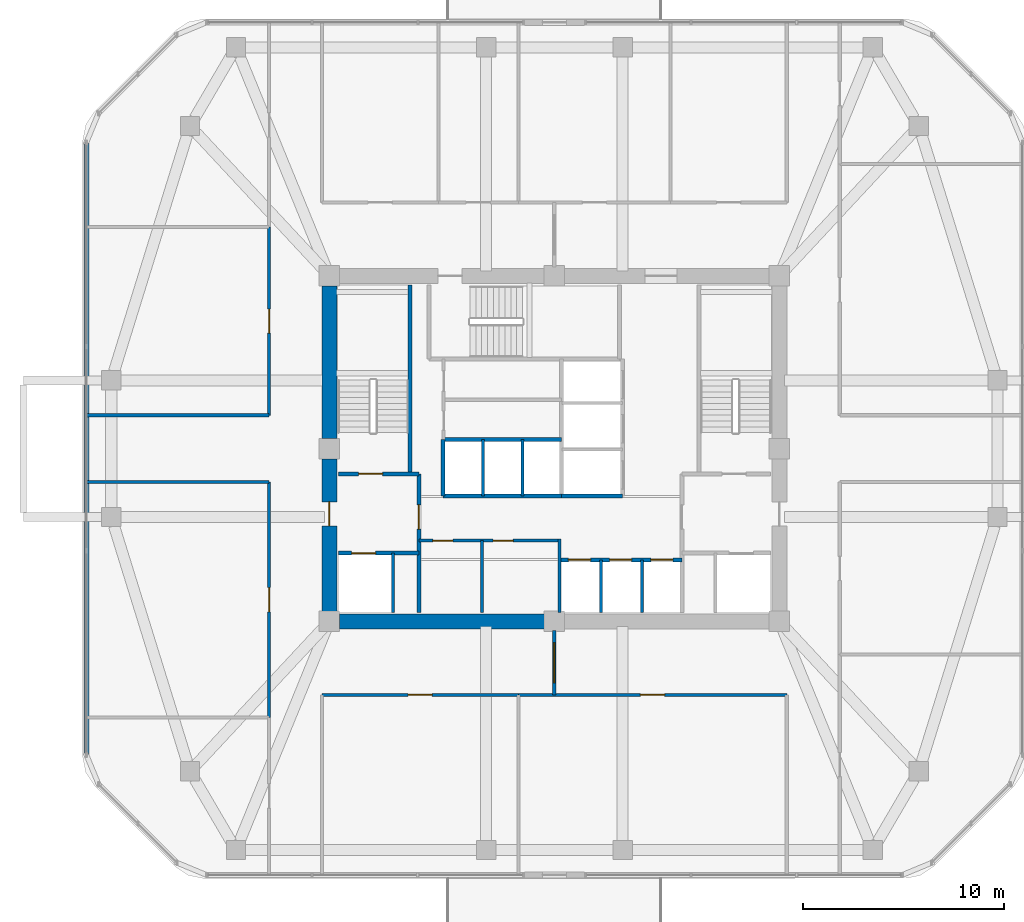
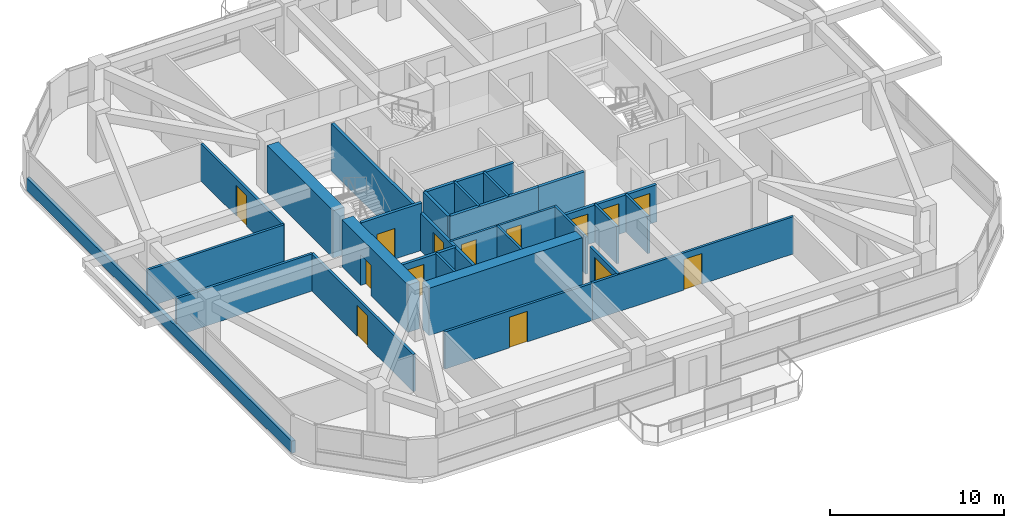
# One storey, part 7 of 11: 28 walls, 14 doors, 14 openings.
"""IFC4 building model written with IfcOpenShell, lengths in metres."""

from ifc_helpers import new_model, si_unit, derived_unit, direction, frame, frame_2d, origin, place, context, subcontext, project, spatial, rectangle, extrude, material, layer, layer_set, type_object, element, fill, save


model = new_model("IFC4")

# Units and contexts
model_context = context("Model", 3, precision=1e-05, world=origin(), true_north=direction((0.0, 1.0)))
body_context = subcontext(model_context, "Body", "Model", "MODEL_VIEW")
ifc_project = project(units=[si_unit("LENGTHUNIT", "METRE"), si_unit("AREAUNIT", "SQUARE_METRE"), si_unit("VOLUMEUNIT", "CUBIC_METRE"), si_unit("PLANEANGLEUNIT", "RADIAN"), si_unit("MASSUNIT", "GRAM", prefix="KILO"), derived_unit("THERMALTRANSMITTANCEUNIT", [(si_unit("POWERUNIT", "WATT"), 1), (si_unit("LENGTHUNIT", "METRE"), -2), (si_unit("THERMODYNAMICTEMPERATUREUNIT", "KELVIN"), -1)])], contexts=[model_context])

# Site, building, storey
site_placement = place(None, origin())
site = spatial("IfcSite", under=ifc_project, at=site_placement, CompositionType="ELEMENT")
building_placement = place(site_placement, origin())
building = spatial("IfcBuilding", under=site, at=building_placement, Name="Koralith Skygarden Medical Center", CompositionType="ELEMENT")
storey_placement = place(building_placement, frame((0.0, 0.0, 167.219970703125)))
storey = spatial("IfcBuildingStorey", under=building, at=storey_placement, Name="L43", CompositionType="ELEMENT", Elevation=167.219970703125)

# Wall, openings, doors
ifc_material_1 = material(Name="Gypsum Board Partition")
ifc_layer_1 = layer(ifc_material_1, 0.14990234375)
ifc_layer_set_1 = layer_set([ifc_layer_1], Name="Gypsum Board Partition")
wall_type_1 = type_object("IfcWallType", Name="Clinical Acoustic Partition 150", PredefinedType="PARTITIONING", material=ifc_layer_set_1)
wall_1_placement = place(storey_placement, frame((30.25, 21.320068359375, 0.0), z_axis=(0.0, 0.0, 1.0), x_axis=(1.0, 0.0, 0.0)))
wall_1 = element("IfcWall", 1, at=wall_1_placement, inside=storey, type_object=wall_type_1, Name="L43 Clinical Acoustic Partition 150 W-CORE-L43-FREED-LR-N", PredefinedType="PARTITIONING", context=body_context, shape_type="SweptSolid", body=[
    extrude(rectangle(XDim=7.0, YDim=0.14990234375, at=frame_2d((3.5, 0.0))), origin(), (0.0, 0.0, 1.0), 2.610107421875),
])
opening_1_placement = place(wall_1_placement, frame((0.699951171875, 0.0, 0.0)))
opening_1 = element("IfcOpeningElement", 2, at=opening_1_placement, cuts=wall_1, Name="Opening D-SUP", PredefinedType="OPENING", context=body_context, shape_type="SweptSolid", body=[
    extrude(rectangle(XDim=1.0, YDim=2.14990234375, at=frame_2d((0.5, 1.074951171875))), frame((0.0, 0.0849609375, 0.0), z_axis=(0.0, -1.0, 0.0), x_axis=(1.0, 0.0, 0.0)), (0.0, 0.0, 1.0), 0.169921875),
])
opening_2_placement = place(wall_1_placement, frame((3.699951171875, 0.0, 0.0)))
opening_2 = element("IfcOpeningElement", 3, at=opening_2_placement, cuts=wall_1, Name="Opening D-SUP", PredefinedType="OPENING", context=body_context, shape_type="SweptSolid", body=[
    extrude(rectangle(XDim=1.0, YDim=2.14990234375, at=frame_2d((0.5, 1.074951171875))), frame((0.0, 0.0849609375, 0.0), z_axis=(0.0, -1.0, 0.0), x_axis=(1.0, 0.0, 0.0)), (0.0, 0.0, 1.0), 0.169921875),
])
ifc_material_2 = material(Name="Aluminium 6063-T6", Category="aluminium")
door_type_1 = type_object("IfcDoorType", Name="Clinical Support Door D-SUP 1000", OperationType="NOTDEFINED", PredefinedType="DOOR", material=ifc_material_2)
door_1_placement = place(opening_1_placement, frame((1.0, 0.0, 0.0), z_axis=(0.0, 0.0, 1.0), x_axis=(-1.0, 0.0, 0.0)))
door_1 = element("IfcDoor", 4, at=door_1_placement, inside=storey, type_object=door_type_1, Name="L43 Medication Preparation Door", OperationType="SINGLE_SWING_LEFT", OverallHeight=2.14990234375, OverallWidth=1.0, PredefinedType="DOOR", context=body_context, shape_type="SweptSolid", body=[
    extrude(rectangle(XDim=1.0, YDim=2.14990234375, at=frame_2d((0.5, 1.074951171875))), frame((0.0, 0.02490234375, 0.0), z_axis=(0.0, -1.0, 0.0), x_axis=(1.0, 0.0, 0.0)), (0.0, 0.0, 1.0), 0.050048828125),
])
fill(opening_1, door_1)
door_2_placement = place(opening_2_placement, frame((1.0, 0.0, 0.0), z_axis=(0.0, 0.0, 1.0), x_axis=(-1.0, 0.0, 0.0)))
door_2 = element("IfcDoor", 5, at=door_2_placement, inside=storey, type_object=door_type_1, Name="L43 Telemetry Room Door", OperationType="SINGLE_SWING_RIGHT", OverallHeight=2.14990234375, OverallWidth=1.0, PredefinedType="DOOR", context=body_context, shape_type="SweptSolid", body=[
    extrude(rectangle(XDim=1.0, YDim=2.14990234375, at=frame_2d((0.5, 1.074951171875))), frame((0.0, 0.02490234375, 0.0), z_axis=(0.0, -1.0, 0.0), x_axis=(1.0, 0.0, 0.0)), (0.0, 0.0, 1.0), 0.050048828125),
])
fill(opening_2, door_2)

# Walls
wall_2_placement = place(storey_placement, frame((33.39990234375, 17.75, 0.0), z_axis=(0.0, 0.0, 1.0), x_axis=(0.0, 1.0, 0.0)))
element("IfcWall", 6, at=wall_2_placement, inside=storey, type_object=wall_type_1, Name="L43 Clinical Acoustic Partition 150 W-CORE-L43-FREED-LR-M", PredefinedType="PARTITIONING", context=body_context, shape_type="SweptSolid", body=[
    extrude(rectangle(XDim=3.570068359375, YDim=0.14990234375, at=frame_2d((1.78515625, 0.0))), origin(), (0.0, 0.0, 1.0), 2.610107421875),
])
ifc_layer_2 = layer(ifc_material_1, 0.1650390625)
ifc_layer_set_2 = layer_set([ifc_layer_2], Name="Gypsum Board Partition")
wall_type_2 = type_object("IfcWallType", Name="Clinical Corridor Partition 165", PredefinedType="PARTITIONING", material=ifc_layer_set_2)
for number, where, z_axis, x_axis, name in (
    (7, (13.716064453125, 24.239990234375, 0.0), (0.0, 0.0, 1.0), (1.0, 0.0, 0.0), "L43 Clinical Corridor Partition 165 W-HCOR-L43-EWS-W"),
    (8, (13.716064453125, 27.56005859375, 0.0), (0.0, 0.0, 1.0), (1.0, 0.0, 0.0), "L43 Clinical Corridor Partition 165 W-HCOR-L43-EWN-W"),
):
    element("IfcWall", number, at=place(storey_placement, frame(where, z_axis=z_axis, x_axis=x_axis)), inside=storey, type_object=wall_type_2, Name=name, PredefinedType="PARTITIONING", context=body_context, shape_type="SweptSolid", body=[
        extrude(rectangle(XDim=9.073974609375, YDim=0.1650390625, at=frame_2d((4.537109375, 0.0))), origin(), (0.0, 0.0, 1.0), 2.610107421875),
    ])

# Wall, opening, door
wall_3_placement = place(storey_placement, frame((25.429931640625, 13.639892578125, 0.0), z_axis=(0.0, 0.0, 1.0), x_axis=(1.0, 0.0, 0.0)))
wall_3 = element("IfcWall", 9, at=wall_3_placement, inside=storey, type_object=wall_type_2, Name="L43 Clinical Corridor Partition 165 W-CORR-L43-S-01", PredefinedType="PARTITIONING", context=body_context, shape_type="SweptSolid", body=[
    extrude(rectangle(XDim=9.77001953125, YDim=0.1650390625, at=frame_2d((4.885009765625, 0.0))), origin(), (0.0, 0.0, 1.0), 2.610107421875),
])
opening_3_placement = place(wall_3_placement, frame((4.284912109375, 0.0, 0.0)))
opening_3 = element("IfcOpeningElement", 10, at=opening_3_placement, cuts=wall_3, Name="Opening D-CLN", PredefinedType="OPENING", context=body_context, shape_type="SweptSolid", body=[
    extrude(rectangle(XDim=1.199951171875, YDim=2.14990234375, at=frame_2d((0.60009765625, 1.074951171875))), frame((0.0, 0.092529296875, 0.0), z_axis=(0.0, -1.0, 0.0), x_axis=(1.0, 0.0, 0.0)), (0.0, 0.0, 1.0), 0.18505859375),
])
door_type_2 = type_object("IfcDoorType", Name="Clinical Corridor Door D-CLN 1200", OperationType="NOTDEFINED", PredefinedType="DOOR", material=ifc_material_2)
door_3_placement = place(opening_3_placement, frame((1.199951171875, 0.0, 0.0), z_axis=(0.0, 0.0, 1.0), x_axis=(-1.0, 0.0, 0.0)))
door_3 = element("IfcDoor", 11, at=door_3_placement, inside=storey, type_object=door_type_2, Name="L43 Clinical Consultation Office 05 Door", OperationType="SINGLE_SWING_RIGHT", OverallHeight=2.14990234375, OverallWidth=1.199951171875, PredefinedType="DOOR", context=body_context, shape_type="SweptSolid", body=[
    extrude(rectangle(XDim=1.199951171875, YDim=2.14990234375, at=frame_2d((0.60009765625, 1.074951171875))), frame((0.0, 0.02490234375, 0.0), z_axis=(0.0, -1.0, 0.0), x_axis=(1.0, 0.0, 0.0)), (0.0, 0.0, 1.0), 0.050048828125),
])
fill(opening_3, door_3)

wall_4_placement = place(storey_placement, frame((35.199951171875, 13.639892578125, 0.0), z_axis=(0.0, 0.0, 1.0), x_axis=(1.0, 0.0, 0.0)))
wall_4 = element("IfcWall", 12, at=wall_4_placement, inside=storey, type_object=wall_type_2, Name="L43 Clinical Corridor Partition 165 W-CORR-L43-S-02", PredefinedType="PARTITIONING", context=body_context, shape_type="SweptSolid", body=[
    extrude(rectangle(XDim=13.3701171875, YDim=0.1650390625, at=frame_2d((6.68505859375, 0.0))), origin(), (0.0, 0.0, 1.0), 2.610107421875),
])
opening_4_placement = place(wall_4_placement, frame((6.0849609375, 0.0, 0.0)))
opening_4 = element("IfcOpeningElement", 13, at=opening_4_placement, cuts=wall_4, Name="Opening D-CLN", PredefinedType="OPENING", context=body_context, shape_type="SweptSolid", body=[
    extrude(rectangle(XDim=1.199951171875, YDim=2.14990234375, at=frame_2d((0.60009765625, 1.074951171875))), frame((0.0, 0.092529296875, 0.0), z_axis=(0.0, -1.0, 0.0), x_axis=(1.0, 0.0, 0.0)), (0.0, 0.0, 1.0), 0.18505859375),
])
door_4_placement = place(opening_4_placement, frame((1.199951171875, 0.0, 0.0), z_axis=(0.0, 0.0, 1.0), x_axis=(-1.0, 0.0, 0.0)))
door_4 = element("IfcDoor", 14, at=door_4_placement, inside=storey, type_object=door_type_2, Name="L43 Patient and Family Sky-Garden Day Lounge 06 Door", OperationType="SINGLE_SWING_LEFT", OverallHeight=2.14990234375, OverallWidth=1.199951171875, PredefinedType="DOOR", context=body_context, shape_type="SweptSolid", body=[
    extrude(rectangle(XDim=1.199951171875, YDim=2.14990234375, at=frame_2d((0.60009765625, 1.074951171875))), frame((0.0, 0.02490234375, 0.0), z_axis=(0.0, -1.0, 0.0), x_axis=(1.0, 0.0, 0.0)), (0.0, 0.0, 1.0), 0.050048828125),
])
fill(opening_4, door_4)

wall_5_placement = place(storey_placement, frame((22.7900390625, 12.51611328125, 0.0), z_axis=(0.0, 0.0, 1.0), x_axis=(0.0, 1.0, 0.0)))
wall_5 = element("IfcWall", 15, at=wall_5_placement, inside=storey, type_object=wall_type_2, Name="L43 Clinical Corridor Partition 165 W-CORR-L43-WS-02", PredefinedType="PARTITIONING", context=body_context, shape_type="SweptSolid", body=[
    extrude(rectangle(XDim=11.723876953125, YDim=0.1650390625, at=frame_2d((5.86181640625, 0.0))), origin(), (0.0, 0.0, 1.0), 2.610107421875),
])
opening_5_placement = place(wall_5_placement, frame((5.261962890625, 0.0, 0.0)))
opening_5 = element("IfcOpeningElement", 16, at=opening_5_placement, cuts=wall_5, Name="Opening D-CLN", PredefinedType="OPENING", context=body_context, shape_type="SweptSolid", body=[
    extrude(rectangle(XDim=1.199951171875, YDim=2.14990234375, at=frame_2d((0.60009765625, 1.074951171875))), frame((0.0, 0.092529296875, 0.0), z_axis=(0.0, -1.0, 0.0), x_axis=(1.0, 0.0, 0.0)), (0.0, 0.0, 1.0), 0.18505859375),
])
door_5_placement = place(opening_5_placement, frame((1.199951171875, 0.0, 0.0), z_axis=(0.0, 0.0, 1.0), x_axis=(-1.0, 0.0, 0.0)))
door_5 = element("IfcDoor", 17, at=door_5_placement, inside=storey, type_object=door_type_2, Name="L43 Balance Therapy Exercise Hall 08 Door", OperationType="SINGLE_SWING_LEFT", OverallHeight=2.14990234375, OverallWidth=1.199951171875, PredefinedType="DOOR", context=body_context, shape_type="SweptSolid", body=[
    extrude(rectangle(XDim=1.199951171875, YDim=2.14990234375, at=frame_2d((0.60009765625, 1.074951171875))), frame((0.0, 0.02490234375, 0.0), z_axis=(0.0, -1.0, 0.0), x_axis=(1.0, 0.0, 0.0)), (0.0, 0.0, 1.0), 0.050048828125),
])
fill(opening_5, door_5)

wall_6_placement = place(storey_placement, frame((22.7900390625, 27.56005859375, 0.0), z_axis=(0.0, 0.0, 1.0), x_axis=(0.0, 1.0, 0.0)))
wall_6 = element("IfcWall", 18, at=wall_6_placement, inside=storey, type_object=wall_type_2, Name="L43 Clinical Corridor Partition 165 W-CORR-L43-WN-01", PredefinedType="PARTITIONING", context=body_context, shape_type="SweptSolid", body=[
    extrude(rectangle(XDim=9.37890625, YDim=0.1650390625, at=frame_2d((4.689453125, 0.0))), origin(), (0.0, 0.0, 1.0), 2.610107421875),
])
opening_6_placement = place(wall_6_placement, frame((4.090087890625, 0.0, 0.0)))
opening_6 = element("IfcOpeningElement", 19, at=opening_6_placement, cuts=wall_6, Name="Opening D-CLN", PredefinedType="OPENING", context=body_context, shape_type="SweptSolid", body=[
    extrude(rectangle(XDim=1.199951171875, YDim=2.14990234375, at=frame_2d((0.60009765625, 1.074951171875))), frame((0.0, 0.092529296875, 0.0), z_axis=(0.0, -1.0, 0.0), x_axis=(1.0, 0.0, 0.0)), (0.0, 0.0, 1.0), 0.18505859375),
])
door_6_placement = place(opening_6_placement, frame((1.199951171875, 0.0, 0.0), z_axis=(0.0, 0.0, 1.0), x_axis=(-1.0, 0.0, 0.0)))
door_6 = element("IfcDoor", 20, at=door_6_placement, inside=storey, type_object=door_type_2, Name="L43 Physiatry Consult Office 09 Door", OperationType="SINGLE_SWING_RIGHT", OverallHeight=2.14990234375, OverallWidth=1.199951171875, PredefinedType="DOOR", context=body_context, shape_type="SweptSolid", body=[
    extrude(rectangle(XDim=1.199951171875, YDim=2.14990234375, at=frame_2d((0.60009765625, 1.074951171875))), frame((0.0, 0.02490234375, 0.0), z_axis=(0.0, -1.0, 0.0), x_axis=(1.0, 0.0, 0.0)), (0.0, 0.0, 1.0), 0.050048828125),
])
fill(opening_6, door_6)

ifc_layer_3 = layer(ifc_material_1, 0.199951171875)
ifc_layer_set_3 = layer_set([ifc_layer_3], Name="Gypsum Board Partition")
wall_type_3 = type_object("IfcWallType", Name="Fire Shaft Wall 200", PredefinedType="SOLIDWALL", material=ifc_layer_set_3)
wall_7_placement = place(storey_placement, frame((26.25, 20.699951171875, 0.0), z_axis=(0.0, 0.0, 1.0), x_axis=(1.0, 0.0, 0.0)))
wall_7 = element("IfcWall", 21, at=wall_7_placement, inside=storey, type_object=wall_type_3, Name="L43 Fire Shaft Wall 200 W-CORE-L43-FF1-N", PredefinedType="SOLIDWALL", context=body_context, shape_type="SweptSolid", body=[
    extrude(rectangle(XDim=4.0, YDim=0.199951171875, at=frame_2d((2.0, 0.0))), origin(), (0.0, 0.0, 1.0), 2.610107421875),
])
opening_7_placement = place(wall_7_placement, frame((0.64990234375, 0.0, 0.0)))
opening_7 = element("IfcOpeningElement", 22, at=opening_7_placement, cuts=wall_7, Name="Opening LD-FF", PredefinedType="OPENING", context=body_context, shape_type="SweptSolid", body=[
    extrude(rectangle(XDim=1.199951171875, YDim=2.14990234375, at=frame_2d((0.60009765625, 1.074951171875))), frame((0.0, 0.10986328125, 0.0), z_axis=(0.0, -1.0, 0.0), x_axis=(1.0, 0.0, 0.0)), (0.0, 0.0, 1.0), 0.219970703125),
])
ifc_material_3 = material(Name="Steel ASTM A500 Grade C", Category="steel")
door_type_3 = type_object("IfcDoorType", Name="Fire Lift Sliding Landing Door LD-FF 1200", OperationType="NOTDEFINED", PredefinedType="DOOR", material=ifc_material_3)
door_7_placement = place(opening_7_placement, origin())
door_7 = element("IfcDoor", 23, at=door_7_placement, inside=storey, type_object=door_type_3, Name="L43 Fire Service Elevator FF1 Landing Door", OperationType="SLIDING_TO_LEFT", OverallHeight=2.14990234375, OverallWidth=1.199951171875, PredefinedType="DOOR", context=body_context, shape_type="SweptSolid", body=[
    extrude(rectangle(XDim=1.199951171875, YDim=2.14990234375, at=frame_2d((0.60009765625, 1.074951171875))), frame((0.0, 0.02490234375, 0.0), z_axis=(0.0, -1.0, 0.0), x_axis=(1.0, 0.0, 0.0)), (0.0, 0.0, 1.0), 0.050048828125),
])
fill(opening_7, door_7)

wall_8_placement = place(storey_placement, frame((30.25, 17.75, 0.0), z_axis=(0.0, 0.0, 1.0), x_axis=(0.0, 1.0, 0.0)))
wall_8 = element("IfcWall", 24, at=wall_8_placement, inside=storey, type_object=wall_type_3, Name="L43 Fire Shaft Wall 200 W-CORE-L43-FSAEW-E", PredefinedType="SOLIDWALL", context=body_context, shape_type="SweptSolid", body=[
    extrude(rectangle(XDim=6.89990234375, YDim=0.199951171875, at=frame_2d((3.449951171875, 0.0))), origin(), (0.0, 0.0, 1.0), 2.610107421875),
])
opening_8_placement = place(wall_8_placement, frame((4.14990234375, 0.0, 0.0)))
opening_8 = element("IfcOpeningElement", 25, at=opening_8_placement, cuts=wall_8, Name="Opening D-ST60", PredefinedType="OPENING", context=body_context, shape_type="SweptSolid", body=[
    extrude(rectangle(XDim=1.199951171875, YDim=2.14990234375, at=frame_2d((0.60009765625, 1.074951171875))), frame((0.0, 0.10986328125, 0.0), z_axis=(0.0, -1.0, 0.0), x_axis=(1.0, 0.0, 0.0)), (0.0, 0.0, 1.0), 0.219970703125),
])
door_type_4 = type_object("IfcDoorType", Name="Smokeproof Stair Fire Door FD60S 1200", OperationType="NOTDEFINED", PredefinedType="DOOR", material=ifc_material_3)
door_8_placement = place(opening_8_placement, origin())
door_8 = element("IfcDoor", 26, at=door_8_placement, inside=storey, type_object=door_type_4, Name="L43 West Firefighting Lobby Inner Fire Door", OperationType="SINGLE_SWING_LEFT", OverallHeight=2.14990234375, OverallWidth=1.199951171875, PredefinedType="DOOR", context=body_context, shape_type="SweptSolid", body=[
    extrude(rectangle(XDim=1.199951171875, YDim=2.14990234375, at=frame_2d((0.60009765625, 1.074951171875))), frame((0.0, 0.02490234375, 0.0), z_axis=(0.0, -1.0, 0.0), x_axis=(1.0, 0.0, 0.0)), (0.0, 0.0, 1.0), 0.050048828125),
])
fill(opening_8, door_8)

# Wall, openings, doors
wall_9_placement = place(storey_placement, frame((37.25, 20.360107421875, 0.0), z_axis=(0.0, 0.0, 1.0), x_axis=(1.0, 0.0, 0.0)))
wall_9 = element("IfcWall", 27, at=wall_9_placement, inside=storey, type_object=wall_type_3, Name="L43 Fire Shaft Wall 200 W-CORE-L43-PM-N", PredefinedType="SOLIDWALL", context=body_context, shape_type="SweptSolid", body=[
    extrude(rectangle(XDim=6.10009765625, YDim=0.199951171875, at=frame_2d((3.050048828125, 0.0))), origin(), (0.0, 0.0, 1.0), 2.610107421875),
])
opening_9_placement = place(wall_9_placement, frame((0.449951171875, 0.0, 0.0)))
opening_9 = element("IfcOpeningElement", 28, at=opening_9_placement, cuts=wall_9, Name="Opening LD-P", PredefinedType="OPENING", context=body_context, shape_type="SweptSolid", body=[
    extrude(rectangle(XDim=1.10009765625, YDim=2.14990234375, at=frame_2d((0.550048828125, 1.074951171875))), frame((0.0, 0.10986328125, 0.0), z_axis=(0.0, -1.0, 0.0), x_axis=(1.0, 0.0, 0.0)), (0.0, 0.0, 1.0), 0.219970703125),
])
opening_10_placement = place(wall_9_placement, frame((2.5, 0.0, 0.0)))
opening_10 = element("IfcOpeningElement", 29, at=opening_10_placement, cuts=wall_9, Name="Opening LD-P", PredefinedType="OPENING", context=body_context, shape_type="SweptSolid", body=[
    extrude(rectangle(XDim=1.10009765625, YDim=2.14990234375, at=frame_2d((0.550048828125, 1.074951171875))), frame((0.0, 0.10986328125, 0.0), z_axis=(0.0, -1.0, 0.0), x_axis=(1.0, 0.0, 0.0)), (0.0, 0.0, 1.0), 0.219970703125),
])
opening_11_placement = place(wall_9_placement, frame((4.550048828125, 0.0, 0.0)))
opening_11 = element("IfcOpeningElement", 30, at=opening_11_placement, cuts=wall_9, Name="Opening LD-P", PredefinedType="OPENING", context=body_context, shape_type="SweptSolid", body=[
    extrude(rectangle(XDim=1.10009765625, YDim=2.14990234375, at=frame_2d((0.550048828125, 1.074951171875))), frame((0.0, 0.10986328125, 0.0), z_axis=(0.0, -1.0, 0.0), x_axis=(1.0, 0.0, 0.0)), (0.0, 0.0, 1.0), 0.219970703125),
])
door_type_5 = type_object("IfcDoorType", Name="Passenger Lift Sliding Landing Door LD-P 1100", OperationType="NOTDEFINED", PredefinedType="DOOR", material=ifc_material_3)
door_9_placement = place(opening_9_placement, origin())
door_9 = element("IfcDoor", 31, at=door_9_placement, inside=storey, type_object=door_type_5, Name="L43 Passenger Elevator PM1 Landing Door", OperationType="SLIDING_TO_LEFT", OverallHeight=2.14990234375, OverallWidth=1.10009765625, PredefinedType="DOOR", context=body_context, shape_type="SweptSolid", body=[
    extrude(rectangle(XDim=1.10009765625, YDim=2.14990234375, at=frame_2d((0.550048828125, 1.074951171875))), frame((0.0, 0.02490234375, 0.0), z_axis=(0.0, -1.0, 0.0), x_axis=(1.0, 0.0, 0.0)), (0.0, 0.0, 1.0), 0.050048828125),
])
fill(opening_9, door_9)
door_10_placement = place(opening_10_placement, origin())
door_10 = element("IfcDoor", 32, at=door_10_placement, inside=storey, type_object=door_type_5, Name="L43 Passenger Elevator PM2 Landing Door", OperationType="SLIDING_TO_LEFT", OverallHeight=2.14990234375, OverallWidth=1.10009765625, PredefinedType="DOOR", context=body_context, shape_type="SweptSolid", body=[
    extrude(rectangle(XDim=1.10009765625, YDim=2.14990234375, at=frame_2d((0.550048828125, 1.074951171875))), frame((0.0, 0.02490234375, 0.0), z_axis=(0.0, -1.0, 0.0), x_axis=(1.0, 0.0, 0.0)), (0.0, 0.0, 1.0), 0.050048828125),
])
fill(opening_10, door_10)
door_11_placement = place(opening_11_placement, origin())
door_11 = element("IfcDoor", 33, at=door_11_placement, inside=storey, type_object=door_type_5, Name="L43 Passenger Elevator PM3 Landing Door", OperationType="SLIDING_TO_LEFT", OverallHeight=2.14990234375, OverallWidth=1.10009765625, PredefinedType="DOOR", context=body_context, shape_type="SweptSolid", body=[
    extrude(rectangle(XDim=1.10009765625, YDim=2.14990234375, at=frame_2d((0.550048828125, 1.074951171875))), frame((0.0, 0.02490234375, 0.0), z_axis=(0.0, -1.0, 0.0), x_axis=(1.0, 0.0, 0.0)), (0.0, 0.0, 1.0), 0.050048828125),
])
fill(opening_11, door_11)

# Walls
for number, where, z_axis, x_axis, name in (
    (34, (31.449951171875, 23.5400390625, 0.0), (0.0, 0.0, 1.0), (1.0, 0.0, 0.0), "L43 Fire Shaft Wall 200 W-CORE-L43-PH-S"),
    (35, (31.449951171875, 26.35009765625, 0.0), (0.0, 0.0, 1.0), (1.0, 0.0, 0.0), "L43 Fire Shaft Wall 200 W-CORE-L43-PH-N"),
):
    element("IfcWall", number, at=place(storey_placement, frame(where, z_axis=z_axis, x_axis=x_axis)), inside=storey, type_object=wall_type_3, Name=name, PredefinedType="SOLIDWALL", context=body_context, shape_type="SweptSolid", body=[
        extrude(rectangle(XDim=5.900146484375, YDim=0.199951171875, at=frame_2d((2.9501953125, 0.0))), origin(), (0.0, 0.0, 1.0), 2.610107421875),
    ])
wall_10_placement = place(storey_placement, frame((31.449951171875, 23.5400390625, 0.0), z_axis=(0.0, 0.0, 1.0), x_axis=(0.0, 1.0, 0.0)))
element("IfcWall", 36, at=wall_10_placement, inside=storey, type_object=wall_type_3, Name="L43 Fire Shaft Wall 200 W-CORE-L43-PH-W", PredefinedType="SOLIDWALL", context=body_context, shape_type="SweptSolid", body=[
    extrude(rectangle(XDim=2.81005859375, YDim=0.199951171875, at=frame_2d((1.405029296875, 0.0))), origin(), (0.0, 0.0, 1.0), 2.610107421875),
])
wall_11_placement = place(storey_placement, frame((37.35009765625, 23.5400390625, 0.0), z_axis=(0.0, 0.0, 1.0), x_axis=(1.0, 0.0, 0.0)))
element("IfcWall", 37, at=wall_11_placement, inside=storey, type_object=wall_type_3, Name="L43 Fire Shaft Wall 200 W-CORE-L43-SV-S", PredefinedType="SOLIDWALL", context=body_context, shape_type="SweptSolid", body=[
    extrude(rectangle(XDim=3.0498046875, YDim=0.199951171875, at=frame_2d((1.52490234375, 0.0))), origin(), (0.0, 0.0, 1.0), 2.610107421875),
])

# Wall, opening, door
ifc_layer_4 = layer(ifc_material_1, 0.179931640625)
ifc_layer_set_4 = layer_set([ifc_layer_4], Name="Gypsum Board Partition")
wall_type_4 = type_object("IfcWallType", Name="Group I-2 Smoke Barrier Wall 180", PredefinedType="PARTITIONING", material=ifc_layer_set_4)
wall_12_placement = place(storey_placement, frame((37.0, 13.639892578125, 0.0), z_axis=(0.0, 0.0, 1.0), x_axis=(0.0, 1.0, 0.0)))
wall_12 = element("IfcWall", 38, at=wall_12_placement, inside=storey, type_object=wall_type_4, Name="L43 Group I-2 Smoke Barrier Wall 180 W-SMK-L43-S", PredefinedType="PARTITIONING", context=body_context, shape_type="SweptSolid", body=[
    extrude(rectangle(XDim=3.210205078125, YDim=0.179931640625, at=frame_2d((1.60498046875, 0.0))), origin(), (0.0, 0.0, 1.0), 2.610107421875),
])
opening_12_placement = place(wall_12_placement, frame((0.60498046875, 0.0, 0.0)))
opening_12 = element("IfcOpeningElement", 39, at=opening_12_placement, cuts=wall_12, Name="Opening D-SMK", PredefinedType="OPENING", context=body_context, shape_type="SweptSolid", body=[
    extrude(rectangle(XDim=2.0, YDim=2.199951171875, at=frame_2d((1.0, 1.10009765625))), frame((0.0, 0.099853515625, 0.0), z_axis=(0.0, -1.0, 0.0), x_axis=(1.0, 0.0, 0.0)), (0.0, 0.0, 1.0), 0.199951171875),
])
door_type_6 = type_object("IfcDoorType", Name="Cross-Corridor Double Smoke Door FD60S 2000", OperationType="NOTDEFINED", PredefinedType="DOOR", material=ifc_material_3)
door_12_placement = place(opening_12_placement, frame((2.0, 0.0, 0.0), z_axis=(0.0, 0.0, 1.0), x_axis=(-1.0, 0.0, 0.0)))
door_12 = element("IfcDoor", 40, at=door_12_placement, inside=storey, type_object=door_type_6, Name="L43 S Smoke Compartment Cross-Corridor Door", OperationType="DOUBLE_DOOR_SINGLE_SWING", OverallHeight=2.199951171875, OverallWidth=2.0, PredefinedType="DOOR", context=body_context, shape_type="SweptSolid", body=[
    extrude(rectangle(XDim=2.0, YDim=2.199951171875, at=frame_2d((1.0, 1.10009765625))), frame((0.0, 0.02490234375, 0.0), z_axis=(0.0, -1.0, 0.0), x_axis=(1.0, 0.0, 0.0)), (0.0, 0.0, 1.0), 0.050048828125),
])
fill(opening_12, door_12)

# Walls
ifc_material_4 = material(Name="Warm Oolitic Limestone Cladding", Category="masonry")
ifc_layer_5 = layer(ifc_material_4, 0.239990234375)
ifc_layer_set_5 = layer_set([ifc_layer_5], Name="Warm Oolitic Limestone Cladding")
wall_type_5 = type_object("IfcWallType", Name="Limestone Spandrel Sill Backup Wall 240", PredefinedType="SOLIDWALL", material=ifc_layer_set_5)
wall_13_placement = place(storey_placement, frame((13.696044921875, 41.14501953125, 0.0), z_axis=(0.0, 0.0, 1.0), x_axis=(0.0, -1.0, 0.0)))
element("IfcWall", 41, at=wall_13_placement, inside=storey, type_object=wall_type_5, Name="L43 Sill Spandrel W", PredefinedType="SOLIDWALL", context=body_context, shape_type="SweptSolid", body=[
    extrude(rectangle(XDim=30.489990234375, YDim=0.239990234375, at=frame_2d((15.2451171875, 0.0))), origin(), (0.0, 0.0, 1.0), 0.85009765625),
])
ifc_material_5 = material(Name="Concrete C70/85", Category="concrete")
ifc_layer_6 = layer(ifc_material_5, 0.75)
ifc_layer_set_6 = layer_set([ifc_layer_6], Name="Concrete C70/85")
wall_type_6 = type_object("IfcWallType", Name="Mid Core Shear Wall 750", PredefinedType="SHEAR", material=ifc_layer_set_6)
wall_14_placement = place(storey_placement, frame((26.304931640625, 17.300048828125, 0.0), z_axis=(0.0, 0.0, 1.0), x_axis=(1.0, 0.0, 0.0)))
element("IfcWall", 42, at=wall_14_placement, inside=storey, type_object=wall_type_6, Name="L43 Core Shear Wall Segment 1", PredefinedType="SHEAR", context=body_context, shape_type="SweptSolid", body=[
    extrude(rectangle(XDim=10.190185546875, YDim=0.75, at=frame_2d((5.09521484375, 0.0))), origin(), (0.0, 0.0, 1.0), 3.320068359375),
])
wall_15_placement = place(storey_placement, frame((25.800048828125, 33.9951171875, 0.0), z_axis=(0.0, 0.0, 1.0), x_axis=(0.0, -1.0, 0.0)))
element("IfcWall", 43, at=wall_15_placement, inside=storey, type_object=wall_type_6, Name="L43 Core Shear Wall Segment 7", PredefinedType="SHEAR", context=body_context, shape_type="SweptSolid", body=[
    extrude(rectangle(XDim=7.590087890625, YDim=0.75, at=frame_2d((3.794921875, 0.0))), origin(), (0.0, 0.0, 1.0), 3.320068359375),
])

# Wall, opening, door
wall_16_placement = place(storey_placement, frame((25.800048828125, 25.39501953125, 0.0), z_axis=(0.0, 0.0, 1.0), x_axis=(0.0, -1.0, 0.0)))
wall_16 = element("IfcWall", 44, at=wall_16_placement, inside=storey, type_object=wall_type_6, Name="L43 Core Shear Wall Segment 8", PredefinedType="SHEAR", context=body_context, shape_type="SweptSolid", body=[
    extrude(rectangle(XDim=7.590087890625, YDim=0.75, at=frame_2d((3.794921875, 0.0))), origin(), (0.0, 0.0, 1.0), 3.320068359375),
])
opening_13_placement = place(wall_16_placement, frame((2.14501953125, 0.0, 0.0)))
opening_13 = element("IfcOpeningElement", 45, at=opening_13_placement, cuts=wall_16, Name="Opening D-ST60", PredefinedType="OPENING", context=body_context, shape_type="SweptSolid", body=[
    extrude(rectangle(XDim=1.199951171875, YDim=2.14990234375, at=frame_2d((0.60009765625, 1.074951171875))), frame((0.0, 0.385009765625, 0.0), z_axis=(0.0, -1.0, 0.0), x_axis=(1.0, 0.0, 0.0)), (0.0, 0.0, 1.0), 0.77001953125),
])
door_13_placement = place(opening_13_placement, frame((1.199951171875, 0.0, 0.0), z_axis=(0.0, 0.0, 1.0), x_axis=(-1.0, 0.0, 0.0)))
door_13 = element("IfcDoor", 46, at=door_13_placement, inside=storey, type_object=door_type_4, Name="L43 West Corridor to Firefighting Lobby Door", OperationType="SINGLE_SWING_LEFT", OverallHeight=2.14990234375, OverallWidth=1.199951171875, PredefinedType="DOOR", context=body_context, shape_type="SweptSolid", body=[
    extrude(rectangle(XDim=1.199951171875, YDim=2.14990234375, at=frame_2d((0.60009765625, 1.074951171875))), frame((0.0, 0.02490234375, 0.0), z_axis=(0.0, -1.0, 0.0), x_axis=(1.0, 0.0, 0.0)), (0.0, 0.0, 1.0), 0.050048828125),
])
fill(opening_13, door_13)

# Walls
ifc_layer_7 = layer(ifc_material_1, 0.14990234375)
ifc_layer_set_7 = layer_set([ifc_layer_7], Name="Gypsum Board Partition")
wall_type_7 = type_object("IfcWallType", Name="Shaft Partition Wall 150", PredefinedType="PARTITIONING", material=ifc_layer_set_7)
wall_17_placement = place(storey_placement, frame((28.969970703125, 17.75, 0.0), z_axis=(0.0, 0.0, 1.0), x_axis=(0.0, 1.0, 0.0)))
element("IfcWall", 47, at=wall_17_placement, inside=storey, type_object=wall_type_7, Name="L43 Shaft Partition Wall 150 W-CORE-L43-RSRW-DIV", PredefinedType="PARTITIONING", context=body_context, shape_type="SweptSolid", body=[
    extrude(rectangle(XDim=2.949951171875, YDim=0.14990234375, at=frame_2d((1.47509765625, 0.0))), origin(), (0.0, 0.0, 1.0), 2.610107421875),
])
for number, where, z_axis, x_axis, name in (
    (48, (39.320068359375, 17.75, 0.0), (0.0, 0.0, 1.0), (0.0, 1.0, 0.0), "L43 Shaft Partition Wall 150 W-CORE-L43-PM-D1"),
    (49, (41.3701171875, 17.75, 0.0), (0.0, 0.0, 1.0), (0.0, 1.0, 0.0), "L43 Shaft Partition Wall 150 W-CORE-L43-PM-D2"),
):
    element("IfcWall", number, at=place(storey_placement, frame(where, z_axis=z_axis, x_axis=x_axis)), inside=storey, type_object=wall_type_7, Name=name, PredefinedType="PARTITIONING", context=body_context, shape_type="SweptSolid", body=[
        extrude(rectangle(XDim=2.610107421875, YDim=0.14990234375, at=frame_2d((1.30517578125, 0.0))), origin(), (0.0, 0.0, 1.0), 2.610107421875),
    ])
wall_18_placement = place(storey_placement, frame((37.25, 17.75, 0.0), z_axis=(0.0, 0.0, 1.0), x_axis=(0.0, 1.0, 0.0)))
element("IfcWall", 50, at=wall_18_placement, inside=storey, type_object=wall_type_7, Name="L43 Shaft Partition Wall 150 W-CORE-L43-PL-PM-SEP", PredefinedType="PARTITIONING", context=body_context, shape_type="SweptSolid", body=[
    extrude(rectangle(XDim=3.64990234375, YDim=0.14990234375, at=frame_2d((1.824951171875, 0.0))), origin(), (0.0, 0.0, 1.0), 2.610107421875),
])
for number, where, z_axis, x_axis, name in (
    (51, (33.449951171875, 23.5400390625, 0.0), (0.0, 0.0, 1.0), (0.0, 1.0, 0.0), "L43 Shaft Partition Wall 150 W-CORE-L43-PH-D1"),
    (52, (35.39990234375, 23.5400390625, 0.0), (0.0, 0.0, 1.0), (0.0, 1.0, 0.0), "L43 Shaft Partition Wall 150 W-CORE-L43-PH-D2"),
):
    element("IfcWall", number, at=place(storey_placement, frame(where, z_axis=z_axis, x_axis=x_axis)), inside=storey, type_object=wall_type_7, Name=name, PredefinedType="PARTITIONING", context=body_context, shape_type="SweptSolid", body=[
        extrude(rectangle(XDim=2.81005859375, YDim=0.14990234375, at=frame_2d((1.405029296875, 0.0))), origin(), (0.0, 0.0, 1.0), 2.610107421875),
    ])
ifc_material_6 = material(Name="Concrete C45/55", Category="concrete")
ifc_layer_8 = layer(ifc_material_6, 0.199951171875)
ifc_layer_set_8 = layer_set([ifc_layer_8], Name="Concrete C45/55")
wall_type_8 = type_object("IfcWallType", Name="Structural Stair Shaft Wall 200", PredefinedType="SHEAR", material=ifc_layer_set_8)
wall_19_placement = place(storey_placement, frame((29.800048828125, 24.64990234375, 0.0), z_axis=(0.0, 0.0, 1.0), x_axis=(0.0, 1.0, 0.0)))
element("IfcWall", 53, at=wall_19_placement, inside=storey, type_object=wall_type_8, Name="L43 Structural Stair Shaft Wall 200 W-CORE-L43-ST1-E", PredefinedType="SHEAR", context=body_context, shape_type="SweptSolid", body=[
    extrude(rectangle(XDim=9.400146484375, YDim=0.199951171875, at=frame_2d((4.7001953125, 0.0))), origin(), (0.0, 0.0, 1.0), 3.320068359375),
])

# Wall, opening, door
wall_20_placement = place(storey_placement, frame((26.25, 24.64990234375, 0.0), z_axis=(0.0, 0.0, 1.0), x_axis=(1.0, 0.0, 0.0)))
wall_20 = element("IfcWall", 54, at=wall_20_placement, inside=storey, type_object=wall_type_8, Name="L43 Structural Stair Shaft Wall 200 W-CORE-L43-ST1-S", PredefinedType="SHEAR", context=body_context, shape_type="SweptSolid", body=[
    extrude(rectangle(XDim=4.0, YDim=0.199951171875, at=frame_2d((2.0, 0.0))), origin(), (0.0, 0.0, 1.0), 3.320068359375),
])
opening_14_placement = place(wall_20_placement, frame((1.0, 0.0, 0.0)))
opening_14 = element("IfcOpeningElement", 55, at=opening_14_placement, cuts=wall_20, Name="Opening D-ST60", PredefinedType="OPENING", context=body_context, shape_type="SweptSolid", body=[
    extrude(rectangle(XDim=1.199951171875, YDim=2.14990234375, at=frame_2d((0.60009765625, 1.074951171875))), frame((0.0, 0.10986328125, 0.0), z_axis=(0.0, -1.0, 0.0), x_axis=(1.0, 0.0, 0.0)), (0.0, 0.0, 1.0), 0.219970703125),
])
door_14_placement = place(opening_14_placement, origin())
door_14 = element("IfcDoor", 56, at=door_14_placement, inside=storey, type_object=door_type_4, Name="L43 Exit Stair ST1 Fire Door", OperationType="SINGLE_SWING_LEFT", OverallHeight=2.14990234375, OverallWidth=1.199951171875, PredefinedType="DOOR", context=body_context, shape_type="SweptSolid", body=[
    extrude(rectangle(XDim=1.199951171875, YDim=2.14990234375, at=frame_2d((0.60009765625, 1.074951171875))), frame((0.0, 0.02490234375, 0.0), z_axis=(0.0, -1.0, 0.0), x_axis=(1.0, 0.0, 0.0)), (0.0, 0.0, 1.0), 0.050048828125),
])
fill(opening_14, door_14)

save(model, "model.ifc")
